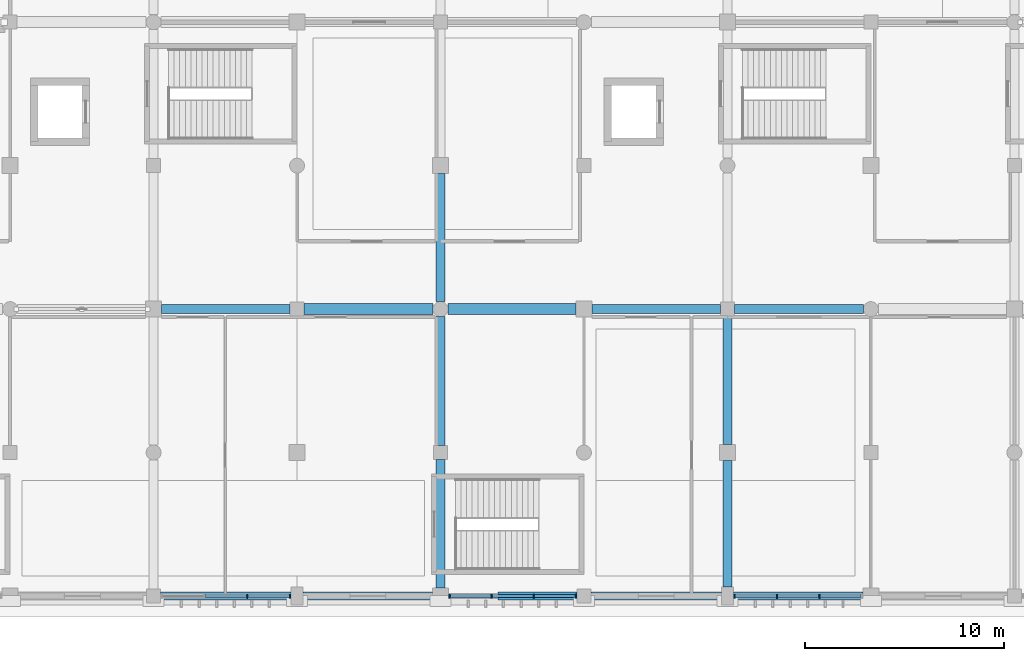
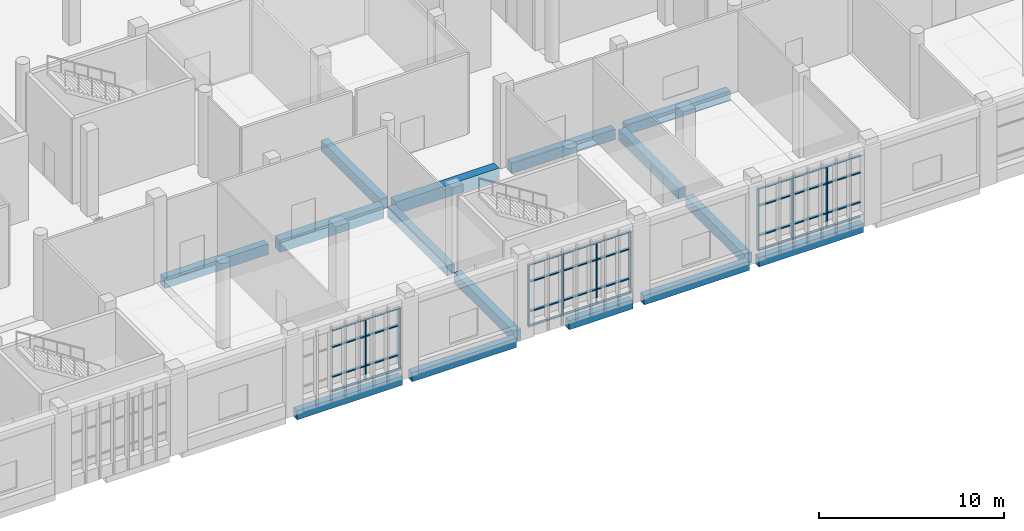
# One storey, part 11 of 80: 41 members, 15 beams, 3 elements without a shape of their own.
"""IFC4 building model written with IfcOpenShell, lengths in metres."""

from ifc_helpers import new_model, si_unit, direction, frame, origin, origin_2d, place, context, subcontext, project, spatial, rectangle, extrude, material, material_profile, profile_set, type_object, element, aggregate, save


model = new_model("IFC4")

# Units and contexts
model_context = context("Model", 3, precision=1e-05, world=origin(), true_north=direction((0.0, 1.0)))
body_context = subcontext(model_context, "Body", "Model", "MODEL_VIEW")
ifc_project = project(units=[si_unit("LENGTHUNIT", "METRE"), si_unit("AREAUNIT", "SQUARE_METRE"), si_unit("VOLUMEUNIT", "CUBIC_METRE"), si_unit("PLANEANGLEUNIT", "RADIAN"), si_unit("MASSUNIT", "GRAM", prefix="KILO")], contexts=[model_context])

# Site, building, storey
site_placement = place(None, origin())
site = spatial("IfcSite", under=ifc_project, at=site_placement, CompositionType="ELEMENT")
building_placement = place(site_placement, origin())
building = spatial("IfcBuilding", under=site, at=building_placement, Name="Sardonyx Promenade Sports Hall", CompositionType="ELEMENT")
storey_placement = place(building_placement, frame((0.0, 0.0, 5.60009765625)))
storey = spatial("IfcBuildingStorey", under=building, at=storey_placement, Name="L01", CompositionType="ELEMENT", Elevation=5.60009765625)

# Beams
ifc_material_1 = material(Name="Concrete C40/50", Category="concrete")
ifc_material_profile_1 = material_profile(ifc_material_1, rectangle(XDim=0.550048828125, YDim=0.800048828125, at=origin_2d()))
ifc_profile_set_1 = profile_set([ifc_material_profile_1], Name="Concrete C40/50")
beam_type_1 = type_object("IfcBeamType", Name="Bm_Girder_RC800", PredefinedType="BEAM", material=ifc_profile_set_1)
beam_1_placement = place(storey_placement, frame((36.35009765625, 14.39990234375, -0.400146484375), z_axis=(1.0, 0.0, 0.0), x_axis=(0.0, 1.0, 0.0)))
element("IfcBeam", 1, at=beam_1_placement, inside=storey, type_object=beam_type_1, Name="Beam BG04 L01 #190", PredefinedType="BEAM", context=body_context, shape_type="SweptSolid", body=[
    extrude(rectangle(XDim=0.550048828125, YDim=0.800048828125, at=origin_2d()), origin(), (0.0, 0.0, 1.0), 6.474853515625),
])
beam_2_placement = place(storey_placement, frame((43.574951171875, 14.39990234375, -0.400146484375), z_axis=(1.0, 0.0, 0.0), x_axis=(0.0, 1.0, 0.0)))
element("IfcBeam", 2, at=beam_2_placement, inside=storey, type_object=beam_type_1, Name="Beam BG04 L01 #191", PredefinedType="BEAM", context=body_context, shape_type="SweptSolid", body=[
    extrude(rectangle(XDim=0.550048828125, YDim=0.800048828125, at=origin_2d()), origin(), (0.0, 0.0, 1.0), 6.425048828125),
])
ifc_material_2 = material(Name="Concrete C40/50", Category="concrete")
ifc_material_profile_2 = material_profile(ifc_material_2, rectangle(XDim=0.449951171875, YDim=0.64990234375, at=origin_2d()))
ifc_profile_set_2 = profile_set([ifc_material_profile_2], Name="Concrete C40/50")
beam_type_2 = type_object("IfcBeamType", Name="Bm_Primary_RC650", PredefinedType="BEAM", material=ifc_profile_set_2)
beam_3_placement = place(storey_placement, frame((57.949951171875, 14.39990234375, -0.3251953125), z_axis=(1.0, 0.0, 0.0), x_axis=(0.0, 1.0, 0.0)))
element("IfcBeam", 3, at=beam_3_placement, inside=storey, type_object=beam_type_2, Name="Beam BG05 L01 #193", PredefinedType="BEAM", context=body_context, shape_type="SweptSolid", body=[
    extrude(rectangle(XDim=0.449951171875, YDim=0.64990234375, at=origin_2d()), origin(), (0.0, 0.0, 1.0), 6.47509765625),
])
ifc_material_3 = material(Name="Concrete C40/50", Category="concrete")
ifc_material_profile_3 = material_profile(ifc_material_3, rectangle(XDim=0.449951171875, YDim=0.699951171875, at=origin_2d()))
ifc_profile_set_3 = profile_set([ifc_material_profile_3], Name="Concrete C40/50")
beam_type_3 = type_object("IfcBeamType", Name="Bm_Primary_RC700", PredefinedType="BEAM", material=ifc_profile_set_3)
for number, where, z_axis, x_axis, name in (
    (4, (29.199951171875, 14.39990234375, -0.35009765625), (1.0, 0.0, 0.0), (0.0, 1.0, 0.0), "Beam BG01 L01 #189"),
    (5, (50.800048828125, 14.39990234375, -0.35009765625), (1.0, 0.0, 0.0), (0.0, 1.0, 0.0), "Beam BG01 L01 #192"),
):
    element("IfcBeam", number, at=place(storey_placement, frame(where, z_axis=z_axis, x_axis=x_axis)), inside=storey, type_object=beam_type_3, Name=name, PredefinedType="BEAM", context=body_context, shape_type="SweptSolid", body=[
        extrude(rectangle(XDim=0.449951171875, YDim=0.699951171875, at=origin_2d()), origin(), (0.0, 0.0, 1.0), 6.449951171875),
    ])
beam_4_placement = place(storey_placement, frame((43.199951171875, 0.39990234375, -0.35009765625), z_axis=(0.0, 1.0, 0.0), x_axis=(-1.0, 0.0, 0.0)))
element("IfcBeam", 6, at=beam_4_placement, inside=storey, type_object=beam_type_3, Name="Beam BG01 L01 #320", PredefinedType="BEAM", context=body_context, shape_type="SweptSolid", body=[
    extrude(rectangle(XDim=0.449951171875, YDim=0.699951171875, at=origin_2d()), origin(), (0.0, 0.0, 1.0), 6.4501953125),
])
beam_5_placement = place(storey_placement, frame((43.199951171875, 7.550048828125, -0.35009765625), z_axis=(0.0, 1.0, 0.0), x_axis=(-1.0, 0.0, 0.0)))
element("IfcBeam", 7, at=beam_5_placement, inside=storey, type_object=beam_type_3, Name="Beam BG01 L01 #321", PredefinedType="BEAM", context=body_context, shape_type="SweptSolid", body=[
    extrude(rectangle(XDim=0.449951171875, YDim=0.699951171875, at=origin_2d()), origin(), (0.0, 0.0, 1.0), 6.474853515625),
])
beam_6_placement = place(storey_placement, frame((43.199951171875, 14.77490234375, -0.35009765625), z_axis=(0.0, 1.0, 0.0), x_axis=(-1.0, 0.0, 0.0)))
element("IfcBeam", 8, at=beam_6_placement, inside=storey, type_object=beam_type_3, Name="Beam BG01 L01 #322", PredefinedType="BEAM", context=body_context, shape_type="SweptSolid", body=[
    extrude(rectangle(XDim=0.449951171875, YDim=0.699951171875, at=origin_2d()), origin(), (0.0, 0.0, 1.0), 6.425048828125),
])
beam_7_placement = place(storey_placement, frame((57.60009765625, 0.449951171875, -0.35009765625), z_axis=(0.0, 1.0, 0.0), x_axis=(-1.0, 0.0, 0.0)))
element("IfcBeam", 9, at=beam_7_placement, inside=storey, type_object=beam_type_3, Name="Beam BG01 L01 #331", PredefinedType="BEAM", context=body_context, shape_type="SweptSolid", body=[
    extrude(rectangle(XDim=0.449951171875, YDim=0.699951171875, at=origin_2d()), origin(), (0.0, 0.0, 1.0), 6.35009765625),
])
beam_8_placement = place(storey_placement, frame((57.60009765625, 7.60009765625, -0.35009765625), z_axis=(0.0, 1.0, 0.0), x_axis=(-1.0, 0.0, 0.0)))
element("IfcBeam", 10, at=beam_8_placement, inside=storey, type_object=beam_type_3, Name="Beam BG01 L01 #332", PredefinedType="BEAM", context=body_context, shape_type="SweptSolid", body=[
    extrude(rectangle(XDim=0.449951171875, YDim=0.699951171875, at=origin_2d()), origin(), (0.0, 0.0, 1.0), 6.449951171875),
])
ifc_material_4 = material(Name="Concrete C40/50", Category="concrete")
ifc_material_profile_4 = material_profile(ifc_material_4, rectangle(XDim=0.39990234375, YDim=0.60009765625, at=origin_2d()))
ifc_profile_set_4 = profile_set([ifc_material_profile_4], Name="Concrete C40/50")
beam_type_4 = type_object("IfcBeamType", Name="Bm_Spandrel_RC600", PredefinedType="SPANDREL", material=ifc_profile_set_4)
beam_9_placement = place(storey_placement, frame((29.14990234375, 0.0, -0.300048828125), z_axis=(1.0, 0.0, 0.0), x_axis=(0.0, 1.0, 0.0)))
element("IfcBeam", 11, at=beam_9_placement, inside=storey, type_object=beam_type_4, Name="Beam SPB1 L01 #166", PredefinedType="SPANDREL", context=body_context, shape_type="SweptSolid", body=[
    extrude(rectangle(XDim=0.39990234375, YDim=0.60009765625, at=origin_2d()), origin(), (0.0, 0.0, 1.0), 6.550048828125),
])
beam_10_placement = place(storey_placement, frame((36.300048828125, 0.0, -0.300048828125), z_axis=(1.0, 0.0, 0.0), x_axis=(0.0, 1.0, 0.0)))
element("IfcBeam", 12, at=beam_10_placement, inside=storey, type_object=beam_type_4, Name="Beam SPB1 L01 #167", PredefinedType="SPANDREL", context=body_context, shape_type="SweptSolid", body=[
    extrude(rectangle(XDim=0.39990234375, YDim=0.60009765625, at=origin_2d()), origin(), (0.0, 0.0, 1.0), 6.5),
])
beam_11_placement = place(storey_placement, frame((46.074951171875, 0.0, -0.300048828125), z_axis=(1.0, 0.0, 0.0), x_axis=(0.0, 1.0, 0.0)))
element("IfcBeam", 13, at=beam_11_placement, inside=storey, type_object=beam_type_4, Name="Beam SPB1 L01 #168", PredefinedType="SPANDREL", context=body_context, shape_type="SweptSolid", body=[
    extrude(rectangle(XDim=0.39990234375, YDim=0.60009765625, at=origin_2d()), origin(), (0.0, 0.0, 1.0), 3.97509765625),
])
beam_12_placement = place(storey_placement, frame((50.75, 0.0, -0.300048828125), z_axis=(1.0, 0.0, 0.0), x_axis=(0.0, 1.0, 0.0)))
element("IfcBeam", 14, at=beam_12_placement, inside=storey, type_object=beam_type_4, Name="Beam SPB1 L01 #169", PredefinedType="SPANDREL", context=body_context, shape_type="SweptSolid", body=[
    extrude(rectangle(XDim=0.39990234375, YDim=0.60009765625, at=origin_2d()), origin(), (0.0, 0.0, 1.0), 6.550048828125),
])
beam_13_placement = place(storey_placement, frame((57.89990234375, 0.0, -0.300048828125), z_axis=(1.0, 0.0, 0.0), x_axis=(0.0, 1.0, 0.0)))
element("IfcBeam", 15, at=beam_13_placement, inside=storey, type_object=beam_type_4, Name="Beam SPB1 L01 #170", PredefinedType="SPANDREL", context=body_context, shape_type="SweptSolid", body=[
    extrude(rectangle(XDim=0.39990234375, YDim=0.60009765625, at=origin_2d()), origin(), (0.0, 0.0, 1.0), 6.5),
])

# Curtain wall, members
ifc_material_5 = material(Name="Aluminium 6063-T6", Category="aluminium")
curtain_wall_type = type_object("IfcCurtainWallType", Name="CW_South_L01_640", PredefinedType="USERDEFINED", material=ifc_material_5)
curtain_wall_1_placement = place(storey_placement, origin())
curtain_wall_1 = element("IfcCurtainWall", 16, at=curtain_wall_1_placement, inside=storey, type_object=curtain_wall_type, Name="Curtain wall CW08 cw:L01:024", ObjectType="CURTAIN WALL", PredefinedType="USERDEFINED")
ifc_material_6 = material(Name="Aluminium 6063-T6", Category="aluminium")
ifc_material_profile_5 = material_profile(ifc_material_6, rectangle(XDim=0.070068359375, YDim=0.199951171875, at=origin_2d()))
ifc_profile_set_5 = profile_set([ifc_material_profile_5], Name="Aluminium 6063-T6")
member_type_1 = type_object("IfcMemberType", Name="CW_Mull_200", PredefinedType="MULLION", material=ifc_profile_set_5)
member_1_placement = place(storey_placement, frame((62.215087890625, 0.0, 0.349853515625), z_axis=(0.0, 0.0, 1.0), x_axis=(-1.0, 0.0, 0.0)))
member_1 = element("IfcMember", 17, at=member_1_placement, type_object=member_type_1, Name="Mullion CM03 cw:L01:024 #2", PredefinedType="MULLION", context=body_context, shape_type="SweptSolid", body=[
    extrude(rectangle(XDim=0.070068359375, YDim=0.199951171875, at=origin_2d()), origin(), (0.0, 0.0, 1.0), 4.10009765625),
])
member_2_placement = place(storey_placement, frame((60.0849609375, 0.0, 0.349853515625), z_axis=(0.0, 0.0, 1.0), x_axis=(-1.0, 0.0, 0.0)))
member_2 = element("IfcMember", 18, at=member_2_placement, type_object=member_type_1, Name="Mullion CM03 cw:L01:024 #3", PredefinedType="MULLION", context=body_context, shape_type="SweptSolid", body=[
    extrude(rectangle(XDim=0.070068359375, YDim=0.199951171875, at=origin_2d()), origin(), (0.0, 0.0, 1.0), 4.10009765625),
])
member_3_placement = place(storey_placement, frame((57.955078125, 0.0, 0.349853515625), z_axis=(0.0, 0.0, 1.0), x_axis=(-1.0, 0.0, 0.0)))
member_3 = element("IfcMember", 19, at=member_3_placement, type_object=member_type_1, Name="Mullion CM03 cw:L01:024 #4", PredefinedType="MULLION", context=body_context, shape_type="SweptSolid", body=[
    extrude(rectangle(XDim=0.070068359375, YDim=0.199951171875, at=origin_2d()), origin(), (0.0, 0.0, 1.0), 4.10009765625),
])

curtain_wall_2_placement = place(storey_placement, origin())
curtain_wall_2 = element("IfcCurtainWall", 20, at=curtain_wall_2_placement, inside=storey, type_object=curtain_wall_type, Name="Curtain wall CW08 cw:L01:025", ObjectType="CURTAIN WALL", PredefinedType="USERDEFINED")
member_4_placement = place(storey_placement, frame((49.9951171875, 0.0, 0.349853515625), z_axis=(0.0, 0.0, 1.0), x_axis=(-1.0, 0.0, 0.0)))
member_4 = element("IfcMember", 21, at=member_4_placement, type_object=member_type_1, Name="Mullion CM03 cw:L01:025 #1", PredefinedType="MULLION", context=body_context, shape_type="SweptSolid", body=[
    extrude(rectangle(XDim=0.070068359375, YDim=0.199951171875, at=origin_2d()), origin(), (0.0, 0.0, 1.0), 4.10009765625),
])
member_5_placement = place(storey_placement, frame((47.881591796875, 0.0, 0.349853515625), z_axis=(0.0, 0.0, 1.0), x_axis=(-1.0, 0.0, 0.0)))
member_5 = element("IfcMember", 22, at=member_5_placement, type_object=member_type_1, Name="Mullion CM03 cw:L01:025 #2", PredefinedType="MULLION", context=body_context, shape_type="SweptSolid", body=[
    extrude(rectangle(XDim=0.070068359375, YDim=0.199951171875, at=origin_2d()), origin(), (0.0, 0.0, 1.0), 4.10009765625),
])
member_6_placement = place(storey_placement, frame((45.768310546875, 0.0, 0.349853515625), z_axis=(0.0, 0.0, 1.0), x_axis=(-1.0, 0.0, 0.0)))
member_6 = element("IfcMember", 23, at=member_6_placement, type_object=member_type_1, Name="Mullion CM03 cw:L01:025 #3", PredefinedType="MULLION", context=body_context, shape_type="SweptSolid", body=[
    extrude(rectangle(XDim=0.070068359375, YDim=0.199951171875, at=origin_2d()), origin(), (0.0, 0.0, 1.0), 4.10009765625),
])
member_7_placement = place(storey_placement, frame((43.655029296875, 0.0, 0.349853515625), z_axis=(0.0, 0.0, 1.0), x_axis=(-1.0, 0.0, 0.0)))
member_7 = element("IfcMember", 24, at=member_7_placement, type_object=member_type_1, Name="Mullion CM03 cw:L01:025 #4", PredefinedType="MULLION", context=body_context, shape_type="SweptSolid", body=[
    extrude(rectangle(XDim=0.070068359375, YDim=0.199951171875, at=origin_2d()), origin(), (0.0, 0.0, 1.0), 4.10009765625),
])

curtain_wall_3_placement = place(storey_placement, origin())
curtain_wall_3 = element("IfcCurtainWall", 25, at=curtain_wall_3_placement, inside=storey, type_object=curtain_wall_type, Name="Curtain wall CW08 cw:L01:026", ObjectType="CURTAIN WALL", PredefinedType="USERDEFINED")
member_8_placement = place(storey_placement, frame((35.64501953125, 0.0, 0.349853515625), z_axis=(0.0, 0.0, 1.0), x_axis=(-1.0, 0.0, 0.0)))
member_8 = element("IfcMember", 26, at=member_8_placement, type_object=member_type_1, Name="Mullion CM03 cw:L01:026 #1", PredefinedType="MULLION", context=body_context, shape_type="SweptSolid", body=[
    extrude(rectangle(XDim=0.070068359375, YDim=0.199951171875, at=origin_2d()), origin(), (0.0, 0.0, 1.0), 4.10009765625),
])
member_9_placement = place(storey_placement, frame((33.498291015625, 0.0, 0.349853515625), z_axis=(0.0, 0.0, 1.0), x_axis=(-1.0, 0.0, 0.0)))
member_9 = element("IfcMember", 27, at=member_9_placement, type_object=member_type_1, Name="Mullion CM03 cw:L01:026 #2", PredefinedType="MULLION", context=body_context, shape_type="SweptSolid", body=[
    extrude(rectangle(XDim=0.070068359375, YDim=0.199951171875, at=origin_2d()), origin(), (0.0, 0.0, 1.0), 4.10009765625),
])

# Member
ifc_material_7 = material(Name="Aluminium 6063-T6", Category="aluminium")
ifc_material_profile_6 = material_profile(ifc_material_7, rectangle(XDim=0.070068359375, YDim=0.159912109375, at=origin_2d()))
ifc_profile_set_6 = profile_set([ifc_material_profile_6], Name="Aluminium 6063-T6")
member_type_2 = type_object("IfcMemberType", Name="CW_Tran_160", PredefinedType="USERDEFINED", material=ifc_profile_set_6)
member_10_placement = place(storey_placement, frame((64.31005859375, 0.0, 0.385009765625), z_axis=(-1.0, 0.0, 0.0), x_axis=(0.0, 0.0, 1.0)))
member_10 = element("IfcMember", 28, at=member_10_placement, type_object=member_type_2, Name="Transom CT03 cw:L01:024 #1", ObjectType="TRANSOM", PredefinedType="USERDEFINED", context=body_context, shape_type="SweptSolid", body=[
    extrude(rectangle(XDim=0.070068359375, YDim=0.159912109375, at=origin_2d()), origin(), (0.0, 0.0, 1.0), 2.06005859375),
])

member_11_placement = place(storey_placement, frame((64.31005859375, 0.0, 1.349853515625), z_axis=(-1.0, 0.0, 0.0), x_axis=(0.0, 0.0, 1.0)))
member_11 = element("IfcMember", 29, at=member_11_placement, type_object=member_type_2, Name="Transom CT03 cw:L01:024 #2", ObjectType="TRANSOM", PredefinedType="USERDEFINED", context=body_context, shape_type="SweptSolid", body=[
    extrude(rectangle(XDim=0.070068359375, YDim=0.159912109375, at=origin_2d()), origin(), (0.0, 0.0, 1.0), 2.06005859375),
])

member_12_placement = place(storey_placement, frame((64.31005859375, 0.0, 3.2998046875), z_axis=(-1.0, 0.0, 0.0), x_axis=(0.0, 0.0, 1.0)))
member_12 = element("IfcMember", 30, at=member_12_placement, type_object=member_type_2, Name="Transom CT03 cw:L01:024 #3", ObjectType="TRANSOM", PredefinedType="USERDEFINED", context=body_context, shape_type="SweptSolid", body=[
    extrude(rectangle(XDim=0.070068359375, YDim=0.159912109375, at=origin_2d()), origin(), (0.0, 0.0, 1.0), 2.06005859375),
])

member_13_placement = place(storey_placement, frame((64.31005859375, 0.0, 4.414794921875), z_axis=(-1.0, 0.0, 0.0), x_axis=(0.0, 0.0, 1.0)))
member_13 = element("IfcMember", 31, at=member_13_placement, type_object=member_type_2, Name="Transom CT03 cw:L01:024 #4", ObjectType="TRANSOM", PredefinedType="USERDEFINED", context=body_context, shape_type="SweptSolid", body=[
    extrude(rectangle(XDim=0.070068359375, YDim=0.159912109375, at=origin_2d()), origin(), (0.0, 0.0, 1.0), 2.06005859375),
])

member_14_placement = place(storey_placement, frame((62.179931640625, 0.0, 0.385009765625), z_axis=(-1.0, 0.0, 0.0), x_axis=(0.0, 0.0, 1.0)))
member_14 = element("IfcMember", 32, at=member_14_placement, type_object=member_type_2, Name="Transom CT03 cw:L01:024 #5", ObjectType="TRANSOM", PredefinedType="USERDEFINED", context=body_context, shape_type="SweptSolid", body=[
    extrude(rectangle(XDim=0.070068359375, YDim=0.159912109375, at=origin_2d()), origin(), (0.0, 0.0, 1.0), 2.059814453125),
])

member_15_placement = place(storey_placement, frame((62.179931640625, 0.0, 1.349853515625), z_axis=(-1.0, 0.0, 0.0), x_axis=(0.0, 0.0, 1.0)))
member_15 = element("IfcMember", 33, at=member_15_placement, type_object=member_type_2, Name="Transom CT03 cw:L01:024 #6", ObjectType="TRANSOM", PredefinedType="USERDEFINED", context=body_context, shape_type="SweptSolid", body=[
    extrude(rectangle(XDim=0.070068359375, YDim=0.159912109375, at=origin_2d()), origin(), (0.0, 0.0, 1.0), 2.059814453125),
])

member_16_placement = place(storey_placement, frame((62.179931640625, 0.0, 3.2998046875), z_axis=(-1.0, 0.0, 0.0), x_axis=(0.0, 0.0, 1.0)))
member_16 = element("IfcMember", 34, at=member_16_placement, type_object=member_type_2, Name="Transom CT03 cw:L01:024 #7", ObjectType="TRANSOM", PredefinedType="USERDEFINED", context=body_context, shape_type="SweptSolid", body=[
    extrude(rectangle(XDim=0.070068359375, YDim=0.159912109375, at=origin_2d()), origin(), (0.0, 0.0, 1.0), 2.059814453125),
])

member_17_placement = place(storey_placement, frame((62.179931640625, 0.0, 4.414794921875), z_axis=(-1.0, 0.0, 0.0), x_axis=(0.0, 0.0, 1.0)))
member_17 = element("IfcMember", 35, at=member_17_placement, type_object=member_type_2, Name="Transom CT03 cw:L01:024 #8", ObjectType="TRANSOM", PredefinedType="USERDEFINED", context=body_context, shape_type="SweptSolid", body=[
    extrude(rectangle(XDim=0.070068359375, YDim=0.159912109375, at=origin_2d()), origin(), (0.0, 0.0, 1.0), 2.059814453125),
])

member_18_placement = place(storey_placement, frame((60.050048828125, 0.0, 0.385009765625), z_axis=(-1.0, 0.0, 0.0), x_axis=(0.0, 0.0, 1.0)))
member_18 = element("IfcMember", 36, at=member_18_placement, type_object=member_type_2, Name="Transom CT03 cw:L01:024 #9", ObjectType="TRANSOM", PredefinedType="USERDEFINED", context=body_context, shape_type="SweptSolid", body=[
    extrude(rectangle(XDim=0.070068359375, YDim=0.159912109375, at=origin_2d()), origin(), (0.0, 0.0, 1.0), 2.06005859375),
])

member_19_placement = place(storey_placement, frame((60.050048828125, 0.0, 1.349853515625), z_axis=(-1.0, 0.0, 0.0), x_axis=(0.0, 0.0, 1.0)))
member_19 = element("IfcMember", 37, at=member_19_placement, type_object=member_type_2, Name="Transom CT03 cw:L01:024 #10", ObjectType="TRANSOM", PredefinedType="USERDEFINED", context=body_context, shape_type="SweptSolid", body=[
    extrude(rectangle(XDim=0.070068359375, YDim=0.159912109375, at=origin_2d()), origin(), (0.0, 0.0, 1.0), 2.06005859375),
])

member_20_placement = place(storey_placement, frame((60.050048828125, 0.0, 3.2998046875), z_axis=(-1.0, 0.0, 0.0), x_axis=(0.0, 0.0, 1.0)))
member_20 = element("IfcMember", 38, at=member_20_placement, type_object=member_type_2, Name="Transom CT03 cw:L01:024 #11", ObjectType="TRANSOM", PredefinedType="USERDEFINED", context=body_context, shape_type="SweptSolid", body=[
    extrude(rectangle(XDim=0.070068359375, YDim=0.159912109375, at=origin_2d()), origin(), (0.0, 0.0, 1.0), 2.06005859375),
])

member_21_placement = place(storey_placement, frame((60.050048828125, 0.0, 4.414794921875), z_axis=(-1.0, 0.0, 0.0), x_axis=(0.0, 0.0, 1.0)))
member_21 = element("IfcMember", 39, at=member_21_placement, type_object=member_type_2, Name="Transom CT03 cw:L01:024 #12", ObjectType="TRANSOM", PredefinedType="USERDEFINED", context=body_context, shape_type="SweptSolid", body=[
    extrude(rectangle(XDim=0.070068359375, YDim=0.159912109375, at=origin_2d()), origin(), (0.0, 0.0, 1.0), 2.06005859375),
])

aggregate(curtain_wall_1, [member_1, member_2, member_3, member_10, member_11, member_12, member_13, member_14, member_15, member_16, member_17, member_18, member_19, member_20, member_21])

member_22_placement = place(storey_placement, frame((49.9599609375, 0.0, 0.385009765625), z_axis=(-1.0, 0.0, 0.0), x_axis=(0.0, 0.0, 1.0)))
member_22 = element("IfcMember", 40, at=member_22_placement, type_object=member_type_2, Name="Transom CT03 cw:L01:025 #1", ObjectType="TRANSOM", PredefinedType="USERDEFINED", context=body_context, shape_type="SweptSolid", body=[
    extrude(rectangle(XDim=0.070068359375, YDim=0.159912109375, at=origin_2d()), origin(), (0.0, 0.0, 1.0), 2.043212890625),
])

member_23_placement = place(storey_placement, frame((49.9599609375, 0.0, 1.349853515625), z_axis=(-1.0, 0.0, 0.0), x_axis=(0.0, 0.0, 1.0)))
member_23 = element("IfcMember", 41, at=member_23_placement, type_object=member_type_2, Name="Transom CT03 cw:L01:025 #2", ObjectType="TRANSOM", PredefinedType="USERDEFINED", context=body_context, shape_type="SweptSolid", body=[
    extrude(rectangle(XDim=0.070068359375, YDim=0.159912109375, at=origin_2d()), origin(), (0.0, 0.0, 1.0), 2.043212890625),
])

member_24_placement = place(storey_placement, frame((49.9599609375, 0.0, 3.2998046875), z_axis=(-1.0, 0.0, 0.0), x_axis=(0.0, 0.0, 1.0)))
member_24 = element("IfcMember", 42, at=member_24_placement, type_object=member_type_2, Name="Transom CT03 cw:L01:025 #3", ObjectType="TRANSOM", PredefinedType="USERDEFINED", context=body_context, shape_type="SweptSolid", body=[
    extrude(rectangle(XDim=0.070068359375, YDim=0.159912109375, at=origin_2d()), origin(), (0.0, 0.0, 1.0), 2.043212890625),
])

member_25_placement = place(storey_placement, frame((49.9599609375, 0.0, 4.414794921875), z_axis=(-1.0, 0.0, 0.0), x_axis=(0.0, 0.0, 1.0)))
member_25 = element("IfcMember", 43, at=member_25_placement, type_object=member_type_2, Name="Transom CT03 cw:L01:025 #4", ObjectType="TRANSOM", PredefinedType="USERDEFINED", context=body_context, shape_type="SweptSolid", body=[
    extrude(rectangle(XDim=0.070068359375, YDim=0.159912109375, at=origin_2d()), origin(), (0.0, 0.0, 1.0), 2.043212890625),
])

member_26_placement = place(storey_placement, frame((47.8466796875, 0.0, 0.385009765625), z_axis=(-1.0, 0.0, 0.0), x_axis=(0.0, 0.0, 1.0)))
member_26 = element("IfcMember", 44, at=member_26_placement, type_object=member_type_2, Name="Transom CT03 cw:L01:025 #5", ObjectType="TRANSOM", PredefinedType="USERDEFINED", context=body_context, shape_type="SweptSolid", body=[
    extrude(rectangle(XDim=0.070068359375, YDim=0.159912109375, at=origin_2d()), origin(), (0.0, 0.0, 1.0), 2.04345703125),
])

member_27_placement = place(storey_placement, frame((47.8466796875, 0.0, 1.349853515625), z_axis=(-1.0, 0.0, 0.0), x_axis=(0.0, 0.0, 1.0)))
member_27 = element("IfcMember", 45, at=member_27_placement, type_object=member_type_2, Name="Transom CT03 cw:L01:025 #6", ObjectType="TRANSOM", PredefinedType="USERDEFINED", context=body_context, shape_type="SweptSolid", body=[
    extrude(rectangle(XDim=0.070068359375, YDim=0.159912109375, at=origin_2d()), origin(), (0.0, 0.0, 1.0), 2.04345703125),
])

member_28_placement = place(storey_placement, frame((47.8466796875, 0.0, 3.2998046875), z_axis=(-1.0, 0.0, 0.0), x_axis=(0.0, 0.0, 1.0)))
member_28 = element("IfcMember", 46, at=member_28_placement, type_object=member_type_2, Name="Transom CT03 cw:L01:025 #7", ObjectType="TRANSOM", PredefinedType="USERDEFINED", context=body_context, shape_type="SweptSolid", body=[
    extrude(rectangle(XDim=0.070068359375, YDim=0.159912109375, at=origin_2d()), origin(), (0.0, 0.0, 1.0), 2.04345703125),
])

member_29_placement = place(storey_placement, frame((47.8466796875, 0.0, 4.414794921875), z_axis=(-1.0, 0.0, 0.0), x_axis=(0.0, 0.0, 1.0)))
member_29 = element("IfcMember", 47, at=member_29_placement, type_object=member_type_2, Name="Transom CT03 cw:L01:025 #8", ObjectType="TRANSOM", PredefinedType="USERDEFINED", context=body_context, shape_type="SweptSolid", body=[
    extrude(rectangle(XDim=0.070068359375, YDim=0.159912109375, at=origin_2d()), origin(), (0.0, 0.0, 1.0), 2.04345703125),
])

member_30_placement = place(storey_placement, frame((45.7333984375, 0.0, 0.385009765625), z_axis=(-1.0, 0.0, 0.0), x_axis=(0.0, 0.0, 1.0)))
member_30 = element("IfcMember", 48, at=member_30_placement, type_object=member_type_2, Name="Transom CT03 cw:L01:025 #9", ObjectType="TRANSOM", PredefinedType="USERDEFINED", context=body_context, shape_type="SweptSolid", body=[
    extrude(rectangle(XDim=0.070068359375, YDim=0.159912109375, at=origin_2d()), origin(), (0.0, 0.0, 1.0), 2.04345703125),
])

member_31_placement = place(storey_placement, frame((45.7333984375, 0.0, 1.349853515625), z_axis=(-1.0, 0.0, 0.0), x_axis=(0.0, 0.0, 1.0)))
member_31 = element("IfcMember", 49, at=member_31_placement, type_object=member_type_2, Name="Transom CT03 cw:L01:025 #10", ObjectType="TRANSOM", PredefinedType="USERDEFINED", context=body_context, shape_type="SweptSolid", body=[
    extrude(rectangle(XDim=0.070068359375, YDim=0.159912109375, at=origin_2d()), origin(), (0.0, 0.0, 1.0), 2.04345703125),
])

member_32_placement = place(storey_placement, frame((45.7333984375, 0.0, 3.2998046875), z_axis=(-1.0, 0.0, 0.0), x_axis=(0.0, 0.0, 1.0)))
member_32 = element("IfcMember", 50, at=member_32_placement, type_object=member_type_2, Name="Transom CT03 cw:L01:025 #11", ObjectType="TRANSOM", PredefinedType="USERDEFINED", context=body_context, shape_type="SweptSolid", body=[
    extrude(rectangle(XDim=0.070068359375, YDim=0.159912109375, at=origin_2d()), origin(), (0.0, 0.0, 1.0), 2.04345703125),
])

member_33_placement = place(storey_placement, frame((45.7333984375, 0.0, 4.414794921875), z_axis=(-1.0, 0.0, 0.0), x_axis=(0.0, 0.0, 1.0)))
member_33 = element("IfcMember", 51, at=member_33_placement, type_object=member_type_2, Name="Transom CT03 cw:L01:025 #12", ObjectType="TRANSOM", PredefinedType="USERDEFINED", context=body_context, shape_type="SweptSolid", body=[
    extrude(rectangle(XDim=0.070068359375, YDim=0.159912109375, at=origin_2d()), origin(), (0.0, 0.0, 1.0), 2.04345703125),
])

aggregate(curtain_wall_2, [member_4, member_5, member_6, member_7, member_22, member_23, member_24, member_25, member_26, member_27, member_28, member_29, member_30, member_31, member_32, member_33])

member_34_placement = place(storey_placement, frame((35.610107421875, 0.0, 0.385009765625), z_axis=(-1.0, 0.0, 0.0), x_axis=(0.0, 0.0, 1.0)))
member_34 = element("IfcMember", 52, at=member_34_placement, type_object=member_type_2, Name="Transom CT03 cw:L01:026 #1", ObjectType="TRANSOM", PredefinedType="USERDEFINED", context=body_context, shape_type="SweptSolid", body=[
    extrude(rectangle(XDim=0.070068359375, YDim=0.159912109375, at=origin_2d()), origin(), (0.0, 0.0, 1.0), 2.07666015625),
])

member_35_placement = place(storey_placement, frame((35.610107421875, 0.0, 1.349853515625), z_axis=(-1.0, 0.0, 0.0), x_axis=(0.0, 0.0, 1.0)))
member_35 = element("IfcMember", 53, at=member_35_placement, type_object=member_type_2, Name="Transom CT03 cw:L01:026 #2", ObjectType="TRANSOM", PredefinedType="USERDEFINED", context=body_context, shape_type="SweptSolid", body=[
    extrude(rectangle(XDim=0.070068359375, YDim=0.159912109375, at=origin_2d()), origin(), (0.0, 0.0, 1.0), 2.07666015625),
])

member_36_placement = place(storey_placement, frame((35.610107421875, 0.0, 3.2998046875), z_axis=(-1.0, 0.0, 0.0), x_axis=(0.0, 0.0, 1.0)))
member_36 = element("IfcMember", 54, at=member_36_placement, type_object=member_type_2, Name="Transom CT03 cw:L01:026 #3", ObjectType="TRANSOM", PredefinedType="USERDEFINED", context=body_context, shape_type="SweptSolid", body=[
    extrude(rectangle(XDim=0.070068359375, YDim=0.159912109375, at=origin_2d()), origin(), (0.0, 0.0, 1.0), 2.07666015625),
])

member_37_placement = place(storey_placement, frame((35.610107421875, 0.0, 4.414794921875), z_axis=(-1.0, 0.0, 0.0), x_axis=(0.0, 0.0, 1.0)))
member_37 = element("IfcMember", 55, at=member_37_placement, type_object=member_type_2, Name="Transom CT03 cw:L01:026 #4", ObjectType="TRANSOM", PredefinedType="USERDEFINED", context=body_context, shape_type="SweptSolid", body=[
    extrude(rectangle(XDim=0.070068359375, YDim=0.159912109375, at=origin_2d()), origin(), (0.0, 0.0, 1.0), 2.07666015625),
])

member_38_placement = place(storey_placement, frame((33.46337890625, 0.0, 0.385009765625), z_axis=(-1.0, 0.0, 0.0), x_axis=(0.0, 0.0, 1.0)))
member_38 = element("IfcMember", 56, at=member_38_placement, type_object=member_type_2, Name="Transom CT03 cw:L01:026 #5", ObjectType="TRANSOM", PredefinedType="USERDEFINED", context=body_context, shape_type="SweptSolid", body=[
    extrude(rectangle(XDim=0.070068359375, YDim=0.159912109375, at=origin_2d()), origin(), (0.0, 0.0, 1.0), 2.07666015625),
])

member_39_placement = place(storey_placement, frame((33.46337890625, 0.0, 1.349853515625), z_axis=(-1.0, 0.0, 0.0), x_axis=(0.0, 0.0, 1.0)))
member_39 = element("IfcMember", 57, at=member_39_placement, type_object=member_type_2, Name="Transom CT03 cw:L01:026 #6", ObjectType="TRANSOM", PredefinedType="USERDEFINED", context=body_context, shape_type="SweptSolid", body=[
    extrude(rectangle(XDim=0.070068359375, YDim=0.159912109375, at=origin_2d()), origin(), (0.0, 0.0, 1.0), 2.07666015625),
])

member_40_placement = place(storey_placement, frame((33.46337890625, 0.0, 3.2998046875), z_axis=(-1.0, 0.0, 0.0), x_axis=(0.0, 0.0, 1.0)))
member_40 = element("IfcMember", 58, at=member_40_placement, type_object=member_type_2, Name="Transom CT03 cw:L01:026 #7", ObjectType="TRANSOM", PredefinedType="USERDEFINED", context=body_context, shape_type="SweptSolid", body=[
    extrude(rectangle(XDim=0.070068359375, YDim=0.159912109375, at=origin_2d()), origin(), (0.0, 0.0, 1.0), 2.07666015625),
])

member_41_placement = place(storey_placement, frame((33.46337890625, 0.0, 4.414794921875), z_axis=(-1.0, 0.0, 0.0), x_axis=(0.0, 0.0, 1.0)))
member_41 = element("IfcMember", 59, at=member_41_placement, type_object=member_type_2, Name="Transom CT03 cw:L01:026 #8", ObjectType="TRANSOM", PredefinedType="USERDEFINED", context=body_context, shape_type="SweptSolid", body=[
    extrude(rectangle(XDim=0.070068359375, YDim=0.159912109375, at=origin_2d()), origin(), (0.0, 0.0, 1.0), 2.07666015625),
])

aggregate(curtain_wall_3, [member_8, member_9, member_34, member_35, member_36, member_37, member_38, member_39, member_40, member_41])

save(model, "model.ifc")
